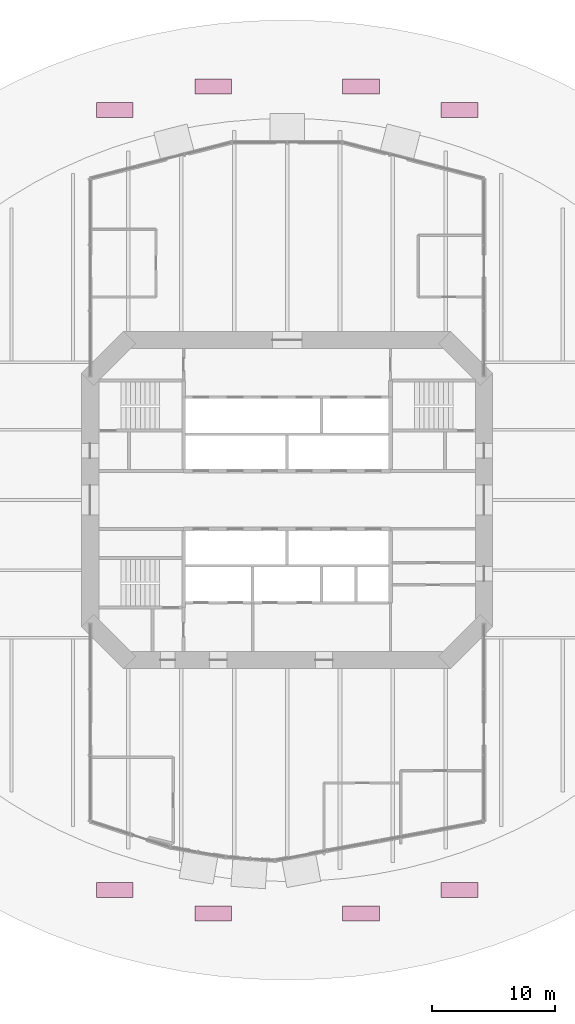
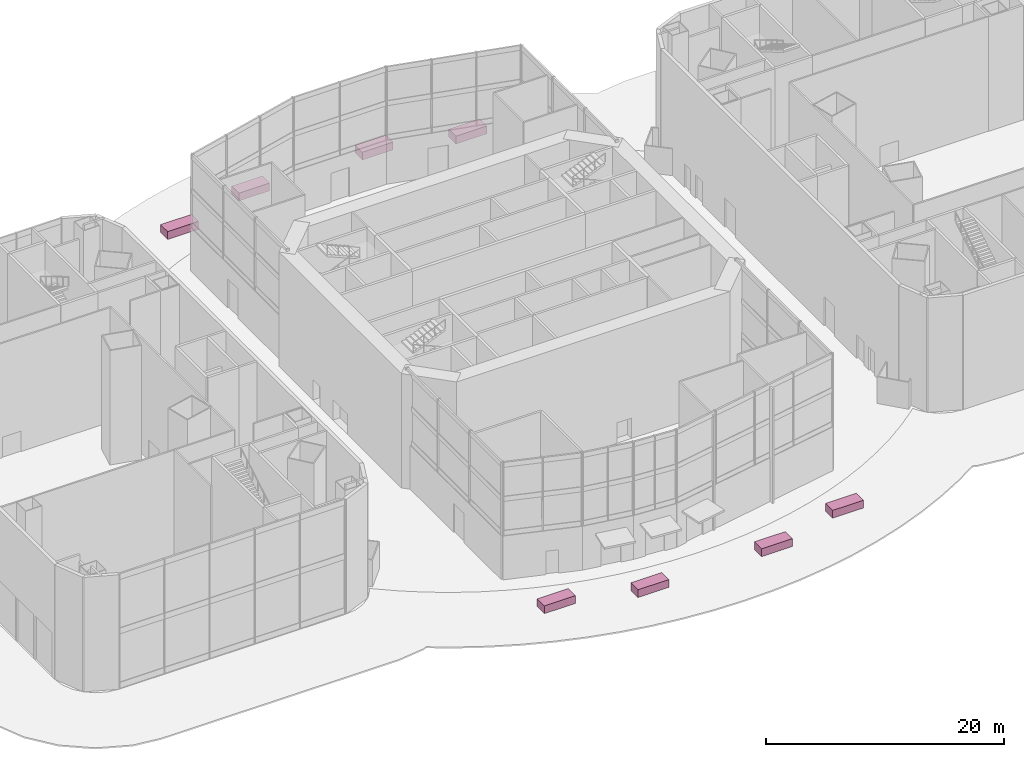
# One storey, part 23 of 23: 8 furnishings.
"""IFC4 building model written with IfcOpenShell, lengths in metres."""

import ifcopenshell
import ifcopenshell.guid

model = None  # the IFC model being written
_history = None  # IfcOwnerHistory: only IFC2X3 demands one
_inside = {}  # id of a spatial element -> (the spatial element, [elements in it])
_under = {}  # id of a project, library or spatial element -> (it, [spatial elements below it])
_declared = {}  # id of a project -> (the project, [libraries it declares])
_typed = {}  # id of a type object -> (the type object, [elements of that type])
_made_of = {}  # id of a material, layer set ... -> (it, [elements and type objects made of it])


def new_model(schema):
    """Start an empty IFC model of exactly this schema.

    Asked for "IFC4X3", IfcOpenShell would pick the latest addendum, in which some entities
    have other attributes; the version numbers below select the first issue.
    IFC2X3 requires an IfcOwnerHistory on every rooted entity: one is made here for all.
    """
    global model, _history
    if schema == "IFC4X3":
        model = ifcopenshell.file(schema_version=(4, 3, 0, 0))
    else:
        model = ifcopenshell.file(schema=schema)
    _inside.clear()
    _under.clear()
    _declared.clear()
    _typed.clear()
    _made_of.clear()
    _history = None
    if model.schema == "IFC2X3":
        org = make("IfcOrganization", Name="unknown")
        user = make(
            "IfcPersonAndOrganization",
            ThePerson=make("IfcPerson", FamilyName="unknown"),
            TheOrganization=org,
        )
        app = make(
            "IfcApplication",
            ApplicationDeveloper=org,
            Version="unknown",
            ApplicationFullName="unknown",
            ApplicationIdentifier="unknown",
        )
        _history = make(
            "IfcOwnerHistory",
            OwningUser=user,
            OwningApplication=app,
            ChangeAction="ADDED",
            CreationDate=0,
        )
    return model


def make(cls, **values):
    """One entity of the class cls with the attributes given. An attribute that is None is left unset."""
    return model.create_entity(
        cls, **{name: value for name, value in values.items() if value is not None}
    )


def rooted(cls, **values):
    """An entity with a GlobalId (a new one), such as an element, a storey or a relation."""
    return make(cls, GlobalId=ifcopenshell.guid.new(), OwnerHistory=_history, **values)


def si_unit(unit_type, name, prefix=None):
    """IfcSIUnit, for example si_unit("LENGTHUNIT", "METRE", prefix="MILLI")."""
    return make("IfcSIUnit", UnitType=unit_type, Prefix=prefix, Name=name)


def assignment(units):
    """IfcUnitAssignment: the units of a project."""
    return None if units is None else make("IfcUnitAssignment", Units=units)


def point(xyz):
    """IfcCartesianPoint."""
    return None if xyz is None else make("IfcCartesianPoint", Coordinates=xyz)


def direction(xyz):
    """IfcDirection."""
    return None if xyz is None else make("IfcDirection", DirectionRatios=xyz)


def frame(location, z_axis=None, x_axis=None):
    """IfcAxis2Placement3D, a coordinate frame: its origin and axes. An axis left out is left unset."""
    return make(
        "IfcAxis2Placement3D",
        Location=point(location),
        Axis=direction(z_axis),
        RefDirection=direction(x_axis),
    )


def frame_2d(location, x_axis=None):
    """IfcAxis2Placement2D, a coordinate frame in the plane: its origin and x axis."""
    return make(
        "IfcAxis2Placement2D", Location=point(location), RefDirection=direction(x_axis)
    )


def origin():
    """The frame at (0, 0, 0) with its axes left unset."""
    return frame((0.0, 0.0, 0.0))


def origin_2d():
    """The frame at (0, 0) in the plane with its x axis left unset."""
    return frame_2d((0.0, 0.0))


def place(relative_to, where):
    """IfcLocalPlacement: puts the frame where relative to a parent placement (None: the world)."""
    return make(
        "IfcLocalPlacement", PlacementRelTo=relative_to, RelativePlacement=where
    )


def context(
    kind, dimensions, precision=None, world=None, true_north=None, identifier=None
):
    """IfcGeometricRepresentationContext, for example the 3D "Model" context."""
    return make(
        "IfcGeometricRepresentationContext",
        ContextIdentifier=identifier,
        ContextType=kind,
        CoordinateSpaceDimension=dimensions,
        Precision=precision,
        WorldCoordinateSystem=world,
        TrueNorth=true_north,
    )


def subcontext(parent, identifier, kind, view, scale=None):
    """IfcGeometricRepresentationSubContext, for example "Body" below "Model"."""
    return make(
        "IfcGeometricRepresentationSubContext",
        ContextIdentifier=identifier,
        ContextType=kind,
        ParentContext=parent,
        TargetScale=scale,
        TargetView=view,
    )


def project(units=None, contexts=None):
    """IfcProject with its units and contexts."""
    return rooted(
        "IfcProject",
        Name="project",
        RepresentationContexts=contexts,
        UnitsInContext=assignment(units),
    )


def spatial(cls, under=None, at=None, **own):
    """A site, building, storey or space (cls), placed at a placement, below another one or the project."""
    s = rooted(cls, ObjectPlacement=at, **own)
    if under is not None:
        _under.setdefault(under.id(), (under, []))[1].append(s)
    return s


def profile(cls, at=None, kind="AREA", **sizes):
    """A parametric profile (cls). Its sizes go by their IFC names, for example OverallWidth=200.0."""
    return make(cls, ProfileType=kind, Position=at, **sizes)


def rectangle(**sizes):
    """IfcRectangleProfileDef."""
    return profile("IfcRectangleProfileDef", **sizes)


def extrude(swept, where, along, depth):
    """IfcExtrudedAreaSolid: the profile swept, set in the frame where, extruded along a direction by depth."""
    return make(
        "IfcExtrudedAreaSolid",
        SweptArea=swept,
        Position=where,
        ExtrudedDirection=direction(along),
        Depth=depth,
    )


def shape(context_of_items, identifier, shape_type, items):
    """IfcShapeRepresentation: the items that make up one representation, for example the "Body"."""
    return make(
        "IfcShapeRepresentation",
        ContextOfItems=context_of_items,
        RepresentationIdentifier=identifier,
        RepresentationType=shape_type,
        Items=items,
    )


def material(Name=None, Category=None):
    """IfcMaterial."""
    return make("IfcMaterial", Name=Name, Category=Category)


def made_of(thing, what):
    """Note that an element or type object is made of a material, layer set ...; save() writes the relation."""
    if what is not None:
        _made_of.setdefault(what.id(), (what, []))[1].append(thing)
    return thing


def type_object(cls, material=None, **own):
    """A type object (cls), such as IfcWallType, which elements share."""
    return made_of(rooted(cls, **own), material)


def element(
    cls,
    number,
    at=None,
    inside=None,
    cuts=None,
    type_object=None,
    material=None,
    context=None,
    identifier="Body",
    shape_type=None,
    held_by="IfcProductDefinitionShape",
    body=None,
    shapes=None,
    **own,
):
    """One element of the class cls, such as IfcWall. Its Tag is "e" and its number.

    at: its placement. inside: the storey or other place that contains it. cuts: it is an
    opening in that element (IfcRelVoidsElement). A single representation is given by context,
    identifier, shape_type and body (its items); several are given by shapes. held_by: the class
    of the entity that holds the representations. save() writes the other relations.
    """
    e = rooted(cls, Tag="e%d" % number, ObjectPlacement=at, **own)
    if body is not None:
        shapes = [shape(context, identifier, shape_type, body)]
    if shapes is not None:
        e.Representation = make(held_by, Representations=shapes)
    if inside is not None:
        _inside.setdefault(inside.id(), (inside, []))[1].append(e)
    if cuts is not None:
        rooted(
            "IfcRelVoidsElement", RelatingBuildingElement=cuts, RelatedOpeningElement=e
        )
    if type_object is not None:
        _typed.setdefault(type_object.id(), (type_object, []))[1].append(e)
    return made_of(e, material)


def aggregate(whole, parts):
    """IfcRelAggregates: a whole, such as a stair, and the parts it consists of."""
    return rooted("IfcRelAggregates", RelatingObject=whole, RelatedObjects=parts)


def save(model, path):
    """Write the relations noted so far, then the file.

    IfcRelAggregates (storeys below a building ...), IfcRelContainedInSpatialStructure (elements
    in a storey), IfcRelDefinesByType, IfcRelAssociatesMaterial and IfcRelDeclares: one each for
    every whole, place, type object, material and project.
    """
    for whole, parts in _under.values():
        aggregate(whole, parts)
    for where, things in _inside.values():
        rooted(
            "IfcRelContainedInSpatialStructure",
            RelatedElements=things,
            RelatingStructure=where,
        )
    for kind, things in _typed.values():
        rooted("IfcRelDefinesByType", RelatedObjects=things, RelatingType=kind)
    for what, things in _made_of.values():
        rooted("IfcRelAssociatesMaterial", RelatedObjects=things, RelatingMaterial=what)
    for by, libraries in _declared.values():
        rooted("IfcRelDeclares", RelatingContext=by, RelatedDefinitions=libraries)
    model.write(path)


model = new_model("IFC4")

# Units and contexts
model_context = context("Model", 3, precision=1e-05, world=origin(), true_north=direction((0.0, 1.0)))
body_context = subcontext(model_context, "Body", "Model", "MODEL_VIEW")
ifc_project = project(units=[si_unit("LENGTHUNIT", "METRE"), si_unit("AREAUNIT", "SQUARE_METRE"), si_unit("VOLUMEUNIT", "CUBIC_METRE"), si_unit("PLANEANGLEUNIT", "RADIAN"), si_unit("MASSUNIT", "GRAM", prefix="KILO")], contexts=[model_context])

# Site, building, storey
site_placement = place(None, origin())
site = spatial("IfcSite", under=ifc_project, at=site_placement, CompositionType="ELEMENT")
building_placement = place(site_placement, origin())
building = spatial("IfcBuilding", under=site, at=building_placement, Name="Marenthal Gate Tower", CompositionType="ELEMENT")
storey_placement = place(building_placement, origin())
storey = spatial("IfcBuildingStorey", under=building, at=storey_placement, Name="L00", CompositionType="ELEMENT", Elevation=0.0)

# Furnishings
ifc_material = material(Name="Planting soil and foliage", Category="planting")
furnishing_element_type = type_object("IfcFurnishingElementType", Name="Plaza PLANTER trough 3000", material=ifc_material)
for number, where, z_axis, x_axis, name in (
    (1, (-14.0, 31.695068359375, 0.0), (0.0, 0.0, 1.0), (1.0, 0.0, 0.0), "Plaza PLANTER 1"),
    (2, (14.0, 31.695068359375, 0.0), (0.0, 0.0, 1.0), (1.0, 0.0, 0.0), "Plaza PLANTER 2"),
    (3, (-6.0, 33.589599609375, 0.0), (0.0, 0.0, 1.0), (1.0, 0.0, 0.0), "Plaza PLANTER 3"),
    (4, (6.0, 33.589599609375, 0.0), (0.0, 0.0, 1.0), (1.0, 0.0, 0.0), "Plaza PLANTER 4"),
    (5, (-14.0, -31.695068359375, 0.0), (0.0, 0.0, 1.0), (1.0, 0.0, 0.0), "Plaza PLANTER 5"),
    (6, (14.0, -31.695068359375, 0.0), (0.0, 0.0, 1.0), (1.0, 0.0, 0.0), "Plaza PLANTER 6"),
    (7, (-6.0, -33.589599609375, 0.0), (0.0, 0.0, 1.0), (1.0, 0.0, 0.0), "Plaza PLANTER 7"),
    (8, (6.0, -33.589599609375, 0.0), (0.0, 0.0, 1.0), (1.0, 0.0, 0.0), "Plaza PLANTER 8"),
):
    element("IfcFurnishingElement", number, at=place(storey_placement, frame(where, z_axis=z_axis, x_axis=x_axis)), inside=storey, type_object=furnishing_element_type, Name=name, ObjectType="PLANTER", context=body_context, shape_type="SweptSolid", body=[
        extrude(rectangle(XDim=3.0, YDim=1.199951171875, at=origin_2d()), origin(), (0.0, 0.0, 1.0), 0.800048828125),
    ])

save(model, "model.ifc")
